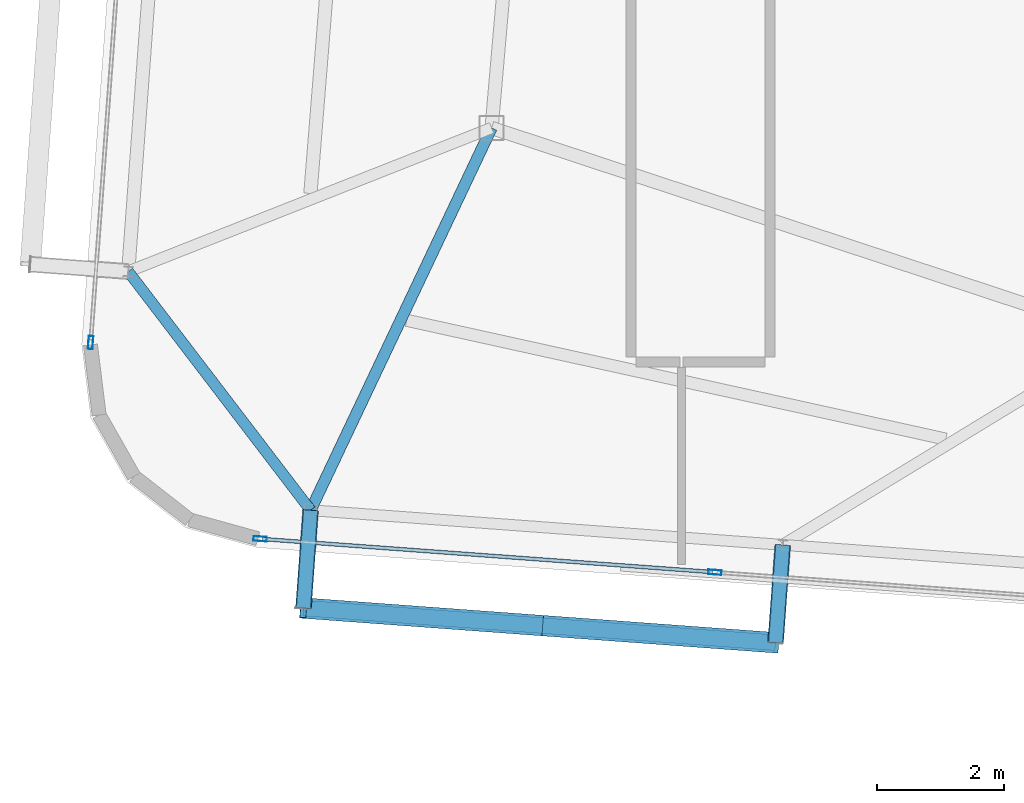
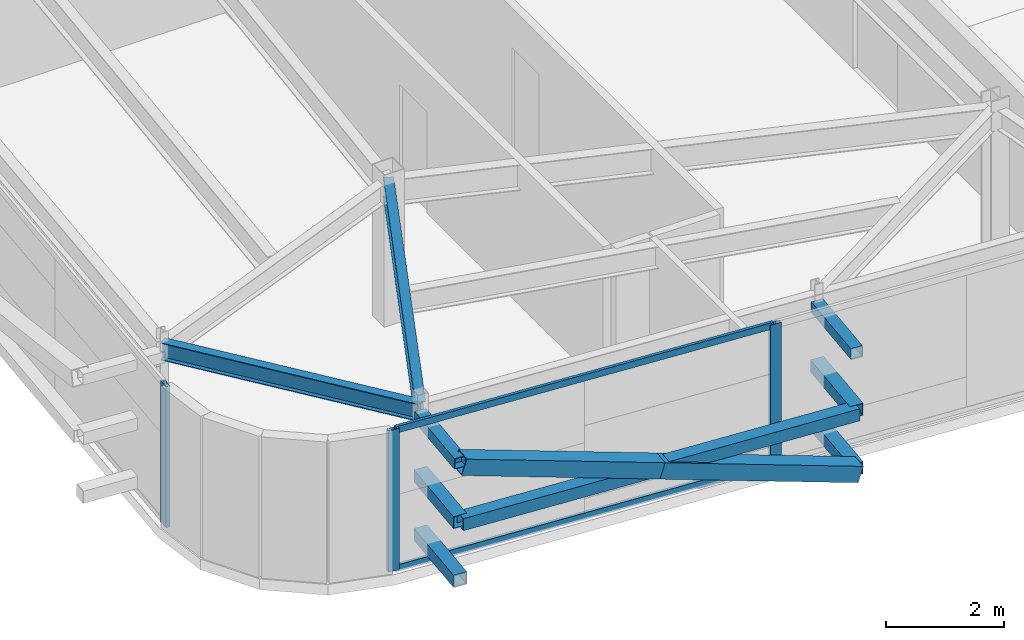
# One storey, part 9 of 36: 14 members, 2 beams, 2 elements without a shape of their own.
"""IFC4 building model written with IfcOpenShell, lengths in metres."""

from ifc_helpers import new_model, si_unit, direction, frame, origin, origin_2d, place, context, subcontext, project, spatial, hollow_rectangle, i_section, extrude, source, transform, mapped, material, layer, layer_set, material_profile, profile_set, type_object, element, aggregate, save


model = new_model("IFC4")

# Units and contexts
model_context = context("Model", 3, precision=1e-05, world=origin(), true_north=direction((0.0, 1.0)))
body_context = subcontext(model_context, "Body", "Model", "MODEL_VIEW")
ifc_project = project(units=[si_unit("LENGTHUNIT", "METRE"), si_unit("AREAUNIT", "SQUARE_METRE"), si_unit("VOLUMEUNIT", "CUBIC_METRE"), si_unit("PLANEANGLEUNIT", "RADIAN"), si_unit("MASSUNIT", "GRAM", prefix="KILO")], contexts=[model_context])

# Site, building, storey
site_placement = place(None, origin())
site = spatial("IfcSite", under=ifc_project, at=site_placement, CompositionType="ELEMENT")
building_placement = place(site_placement, origin())
building = spatial("IfcBuilding", under=site, at=building_placement, Name="Taldren Reach Tower", CompositionType="ELEMENT")
storey_placement = place(building_placement, frame((0.0, 0.0, 227.14990234375)))
storey = spatial("IfcBuildingStorey", under=building, at=storey_placement, Name="L69", CompositionType="ELEMENT", Elevation=227.14990234375)

# Members
ifc_material_1 = material(Name="Steel Gr 350 (C350L0)", Category="steel")
ifc_material_profile_1 = material_profile(ifc_material_1, hollow_rectangle(XDim=0.25, YDim=0.25, WallThickness=0.010009765625, at=origin_2d()), Name="250x250x10.0SHS")
ifc_profile_set_1 = profile_set([ifc_material_profile_1], Name="Steel Gr 350 (C350L0)")
member_type_1 = type_object("IfcMemberType", Name="MB-POST250", PredefinedType="POST", material=ifc_profile_set_1)
shared_shape_1 = source(origin(), body_context, "Body", "SweptSolid", [
    extrude(hollow_rectangle(XDim=0.25, YDim=0.25, WallThickness=0.010009765625, at=origin_2d()), origin(), (0.0, 0.0, 1.0), 1.5498046875),
])
for number, where, z_axis, x_axis, name in (
    (1, (22.6005859375, 5.912353515625, 0.22021484375), (-0.073250797913, -0.997313551801, 0.0), (0.997313551801, -0.073250797913, 0.0), "Exoskeleton base diaphragm tie strut B5-S2 L69"),
    (2, (22.6005859375, 5.912353515625, 1.43505859375), (-0.073250797913, -0.997313551801, 0.0), (0.997313551801, -0.073250797913, 0.0), "Exoskeleton mid-tier diaphragm tie B5-S2 L69"),
):
    element("IfcMember", number, at=place(storey_placement, frame(where, z_axis=z_axis, x_axis=x_axis)), inside=storey, type_object=member_type_1, Name=name, PredefinedType="POST", context=body_context, shape_type="MappedRepresentation", body=[
        mapped(shared_shape_1, transform((0.0, 0.0, 0.0), scale=1.0)),
    ])
shared_shape_2 = source(origin(), body_context, "Body", "SweptSolid", [
    extrude(hollow_rectangle(XDim=0.25, YDim=0.25, WallThickness=0.010009765625, at=origin_2d()), origin(), (0.0, 0.0, 1.0), 1.550048828125),
])
for number, where, z_axis, x_axis, name in (
    (3, (15.140625, 6.460205078125, 0.22021484375), (-0.07323929162, -0.997314396849, 0.0), (0.997314396849, -0.07323929162, 0.0), "Exoskeleton base diaphragm tie strut B5-S1 L69"),
    (4, (15.140625, 6.460205078125, 1.43505859375), (-0.07323929162, -0.997314396849, 0.0), (0.997314396849, -0.07323929162, 0.0), "Exoskeleton mid-tier diaphragm tie B5-S1 L69"),
):
    element("IfcMember", number, at=place(storey_placement, frame(where, z_axis=z_axis, x_axis=x_axis)), inside=storey, type_object=member_type_1, Name=name, PredefinedType="POST", context=body_context, shape_type="MappedRepresentation", body=[
        mapped(shared_shape_2, transform((0.0, 0.0, 0.0), scale=1.0)),
    ])
ifc_material_2 = material(Name="Steel Gr 450 (C450L0)", Category="steel")
ifc_material_profile_2 = material_profile(ifc_material_2, hollow_rectangle(XDim=0.219970703125, YDim=0.219970703125, WallThickness=0.00830078125, at=origin_2d()), Name="220x220x8.2SHS")
ifc_profile_set_2 = profile_set([ifc_material_profile_2], Name="Steel Gr 450 (C450L0)")
member_type_2 = type_object("IfcMemberType", Name="MB-TIE219", PredefinedType="STRUT", material=ifc_profile_set_2)
shared_shape_3 = source(origin(), body_context, "Body", "SweptSolid", [
    extrude(hollow_rectangle(XDim=0.219970703125, YDim=0.219970703125, WallThickness=0.00830078125, at=origin_2d()), origin(), (0.0, 0.0, 1.0), 1.5498046875),
])
member_1_placement = place(storey_placement, frame((22.6005859375, 5.912353515625, 2.650146484375), z_axis=(-0.073250797913, -0.997313551801, 0.0), x_axis=(0.997313551801, -0.073250797913, 0.0)))
element("IfcMember", 5, at=member_1_placement, inside=storey, type_object=member_type_2, Name="Exoskeleton diaphragm tie strut B5-S2 L69", PredefinedType="STRUT", context=body_context, shape_type="MappedRepresentation", body=[
    mapped(shared_shape_3, transform((0.0, 0.0, 0.0), scale=1.0)),
])
shared_shape_4 = source(origin(), body_context, "Body", "SweptSolid", [
    extrude(hollow_rectangle(XDim=0.219970703125, YDim=0.219970703125, WallThickness=0.00830078125, at=origin_2d()), origin(), (0.0, 0.0, 1.0), 1.550048828125),
])
member_2_placement = place(storey_placement, frame((15.140625, 6.460205078125, 2.650146484375), z_axis=(-0.07323929162, -0.997314396849, 0.0), x_axis=(0.997314396849, -0.07323929162, 0.0)))
element("IfcMember", 6, at=member_2_placement, inside=storey, type_object=member_type_2, Name="Exoskeleton diaphragm tie strut B5-S1 L69", PredefinedType="STRUT", context=body_context, shape_type="MappedRepresentation", body=[
    mapped(shared_shape_4, transform((0.0, 0.0, 0.0), scale=1.0)),
])

# Beams
ifc_material_3 = material(Name="Steel Gr 350 (350PLUS)", Category="steel")
ifc_material_profile_3 = material_profile(ifc_material_3, i_section(OverallWidth=0.172119140625, OverallDepth=0.35888671875, WebThickness=0.008056640625, FlangeThickness=0.012939453125, at=origin_2d()), Name="360UB56.7")
ifc_profile_set_3 = profile_set([ifc_material_profile_3], Name="Steel Gr 350 (350PLUS)")
beam_type_1 = type_object("IfcBeamType", Name="SP-UB360", PredefinedType="SPANDREL", material=ifc_profile_set_3)
shared_shape_5 = source(origin(), body_context, "Body", "SweptSolid", [
    extrude(i_section(OverallWidth=0.172119140625, OverallDepth=0.35888671875, WebThickness=0.008056640625, FlangeThickness=0.012939453125, at=origin_2d()), origin(), (0.0, 0.0, 1.0), 4.74609375),
])
beam_1_placement = place(storey_placement, frame((12.259033203125, 10.2314453125, 2.75048828125), z_axis=(0.607144568334, -0.794591387533, 0.0), x_axis=(0.794591387533, 0.607144568334, 0.0)))
element("IfcBeam", 7, at=beam_1_placement, inside=storey, type_object=beam_type_1, Name="Perimeter spandrel B5 W1-S1 L69", PredefinedType="SPANDREL", context=body_context, shape_type="MappedRepresentation", body=[
    mapped(shared_shape_5, transform((0.0, 0.0, 0.0), scale=1.0)),
])
ifc_material_profile_4 = material_profile(ifc_material_3, i_section(OverallWidth=0.177978515625, OverallDepth=0.406005859375, WebThickness=0.0078125, FlangeThickness=0.0126953125, at=origin_2d()), Name="410UB59.7")
ifc_profile_set_4 = profile_set([ifc_material_profile_4], Name="Steel Gr 350 (350PLUS)")
beam_type_2 = type_object("IfcBeamType", Name="BM-UB410", PredefinedType="BEAM", material=ifc_profile_set_4)
shared_shape_6 = source(origin(), body_context, "Body", "SweptSolid", [
    extrude(i_section(OverallWidth=0.177978515625, OverallDepth=0.406005859375, WebThickness=0.0078125, FlangeThickness=0.0126953125, at=origin_2d()), origin(), (0.0, 0.0, 1.0), 6.682373046875),
])
beam_2_placement = place(storey_placement, frame((18.0, 12.5, 2.72705078125), z_axis=(-0.427893164494, -0.903829320049, 0.0), x_axis=(0.903829320049, -0.427893164494, 0.0)))
element("IfcBeam", 8, at=beam_2_placement, inside=storey, type_object=beam_type_2, Name="Primary floor girder B5-S1 L69", PredefinedType="BEAM", context=body_context, shape_type="MappedRepresentation", body=[
    mapped(shared_shape_6, transform((0.0, 0.0, 0.0), scale=1.0)),
])

# Members
ifc_material_profile_5 = material_profile(ifc_material_2, hollow_rectangle(XDim=0.324951171875, YDim=0.324951171875, WallThickness=0.0126953125, at=origin_2d()), Name="325x325x12.7SHS")
ifc_profile_set_5 = profile_set([ifc_material_profile_5], Name="Steel Gr 450 (C450L0)")
member_type_3 = type_object("IfcMemberType", Name="MB-BR324", PredefinedType="BRACE", material=ifc_profile_set_5)
shared_shape_7 = source(origin(), body_context, "Body", "SweptSolid", [
    extrude(hollow_rectangle(XDim=0.324951171875, YDim=0.324951171875, WallThickness=0.0126953125, at=origin_2d()), origin(), (0.0, 0.0, 1.0), 3.932373046875),
])
for number, where, z_axis, x_axis, name in (
    (9, (22.487060546875, 4.36669921875, 0.22021484375), (-0.948533427308, 0.069597196754, 0.308934568287), (-0.073176762938, -0.997318986767, 0.0), "Exoskeleton Diagrid Brace B5-S1 L69"),
    (10, (18.757080078125, 4.640380859375, 1.43505859375), (-0.948511132845, 0.069657644394, 0.308989390507), (-0.07324169103, -0.997314220642, 0.0), "Exoskeleton Diagrid Brace B5-S1 L69"),
):
    element("IfcMember", number, at=place(storey_placement, frame(where, z_axis=z_axis, x_axis=x_axis)), inside=storey, type_object=member_type_3, Name=name, PredefinedType="BRACE", context=body_context, shape_type="MappedRepresentation", body=[
        mapped(shared_shape_7, transform((0.0, 0.0, 0.0), scale=1.0)),
    ])
shared_shape_8 = source(origin(), body_context, "Body", "SweptSolid", [
    extrude(hollow_rectangle(XDim=0.25, YDim=0.25, WallThickness=0.010009765625, at=origin_2d()), origin(), (0.0, 0.0, 1.0), 7.47998046875),
])
member_3_placement = place(storey_placement, frame((15.027099609375, 4.914306640625, 1.43505859375), z_axis=(0.997316604227, -0.0732092271, 0.0), x_axis=(0.0732092271, 0.997316604227, 0.0)))
element("IfcMember", 11, at=member_3_placement, inside=storey, type_object=member_type_1, Name="Exoskeleton mid-height ring chord B5-S1 L69", PredefinedType="POST", context=body_context, shape_type="MappedRepresentation", body=[
    mapped(shared_shape_8, transform((0.0, 0.0, 0.0), scale=1.0)),
])

# Curtain wall, members
ifc_material_4 = material(Name="Aluminium and Low-E Glass Unitised System", Category="aluminium")
ifc_layer = layer(ifc_material_4, 0.159912109375)
ifc_layer_set = layer_set([ifc_layer], Name="Aluminium and Low-E Glass Unitised System")
curtain_wall_type = type_object("IfcCurtainWallType", Name="CW-SYS-7", PredefinedType="NOTDEFINED", material=ifc_layer_set)
curtain_wall_1_placement = place(storey_placement, origin())
curtain_wall_1 = element("IfcCurtainWall", 12, at=curtain_wall_1_placement, inside=storey, type_object=curtain_wall_type, Name="Unitised curtain wall CW-L69-SWING", PredefinedType="NOTDEFINED")
ifc_material_5 = material(Name="Anodised Aluminium 6063-T6", Category="aluminium")
ifc_material_profile_6 = material_profile(ifc_material_5, hollow_rectangle(XDim=0.074951171875, YDim=0.2099609375, WallThickness=0.00439453125, at=origin_2d()), Name="ALU-210x75x4.5RHS")
ifc_profile_set_6 = profile_set([ifc_material_profile_6], Name="Anodised Aluminium 6063-T6")
member_type_4 = type_object("IfcMemberType", Name="CW-MUL-200", PredefinedType="MULLION", material=ifc_profile_set_6)
shared_shape_9 = source(origin(), body_context, "Body", "SweptSolid", [
    extrude(hollow_rectangle(XDim=0.074951171875, YDim=0.2099609375, WallThickness=0.00439453125, at=origin_2d()), origin(), (0.0, 0.0, 1.0), 2.93017578125),
])
member_4_placement = place(storey_placement, frame((14.3427734375, 6.007568359375, 0.0), z_axis=(0.0, 0.0, 1.0), x_axis=(0.073238148285, 0.997314480811, 0.0)))
member_4 = element("IfcMember", 13, at=member_4_placement, type_object=member_type_4, Name="CW-7 mullion 1", PredefinedType="MULLION", context=body_context, shape_type="MappedRepresentation", body=[
    mapped(shared_shape_9, transform((0.0, 0.0, 0.0), scale=1.0)),
])
member_5_placement = place(storey_placement, frame((21.52783203125, 5.479736328125, 0.0), z_axis=(0.0, 0.0, 1.0), x_axis=(0.073238148285, 0.997314480811, 0.0)))
member_5 = element("IfcMember", 14, at=member_5_placement, type_object=member_type_4, Name="CW-7 mullion 2", PredefinedType="MULLION", context=body_context, shape_type="MappedRepresentation", body=[
    mapped(shared_shape_9, transform((0.0, 0.0, 0.0), scale=1.0)),
])

# Curtain wall, member
curtain_wall_2_placement = place(storey_placement, origin())
curtain_wall_2 = element("IfcCurtainWall", 15, at=curtain_wall_2_placement, inside=storey, type_object=curtain_wall_type, Name="Unitised curtain wall CW-L69-W", PredefinedType="NOTDEFINED")
member_6_placement = place(storey_placement, frame((11.665283203125, 9.109375, 0.0), z_axis=(0.0, 0.0, 1.0), x_axis=(0.997314470951, -0.073238282558, 0.0)))
member_6 = element("IfcMember", 16, at=member_6_placement, type_object=member_type_4, Name="CW-7 mullion 3", PredefinedType="MULLION", context=body_context, shape_type="MappedRepresentation", body=[
    mapped(shared_shape_9, transform((0.0, 0.0, 0.0), scale=1.0)),
])
aggregate(curtain_wall_2, [member_6])

# Member
ifc_material_profile_7 = material_profile(ifc_material_5, hollow_rectangle(XDim=0.06005859375, YDim=0.135009765625, WallThickness=0.00341796875, at=origin_2d()), Name="ALU-135x60x3.5RHS")
ifc_profile_set_7 = profile_set([ifc_material_profile_7], Name="Anodised Aluminium 6063-T6")
member_type_5 = type_object("IfcMemberType", Name="CW-TRN-150", PredefinedType="USERDEFINED", material=ifc_profile_set_7)
shared_shape_10 = source(origin(), body_context, "Body", "SweptSolid", [
    extrude(hollow_rectangle(XDim=0.06005859375, YDim=0.135009765625, WallThickness=0.00341796875, at=origin_2d()), origin(), (0.0, 0.0, 1.0), 7.12890625),
])
member_7_placement = place(storey_placement, frame((14.38037109375, 6.004638671875, 0.030029296875), z_axis=(0.997315942834, -0.073218236583, 0.0), x_axis=(0.073218236583, 0.997315942834, 0.0)))
member_7 = element("IfcMember", 17, at=member_7_placement, type_object=member_type_5, Name="CW-7 transom 1.1", ObjectType="TRANSOM", PredefinedType="USERDEFINED", context=body_context, shape_type="MappedRepresentation", body=[
    mapped(shared_shape_10, transform((0.0, 0.0, 0.0), scale=1.0)),
])

member_8_placement = place(storey_placement, frame((14.38037109375, 6.004638671875, 2.900146484375), z_axis=(0.997315942834, -0.073218236583, 0.0), x_axis=(0.073218236583, 0.997315942834, 0.0)))
member_8 = element("IfcMember", 18, at=member_8_placement, type_object=member_type_5, Name="CW-7 transom 1.2", ObjectType="TRANSOM", PredefinedType="USERDEFINED", context=body_context, shape_type="MappedRepresentation", body=[
    mapped(shared_shape_10, transform((0.0, 0.0, 0.0), scale=1.0)),
])

aggregate(curtain_wall_1, [member_4, member_5, member_7, member_8])

save(model, "model.ifc")
